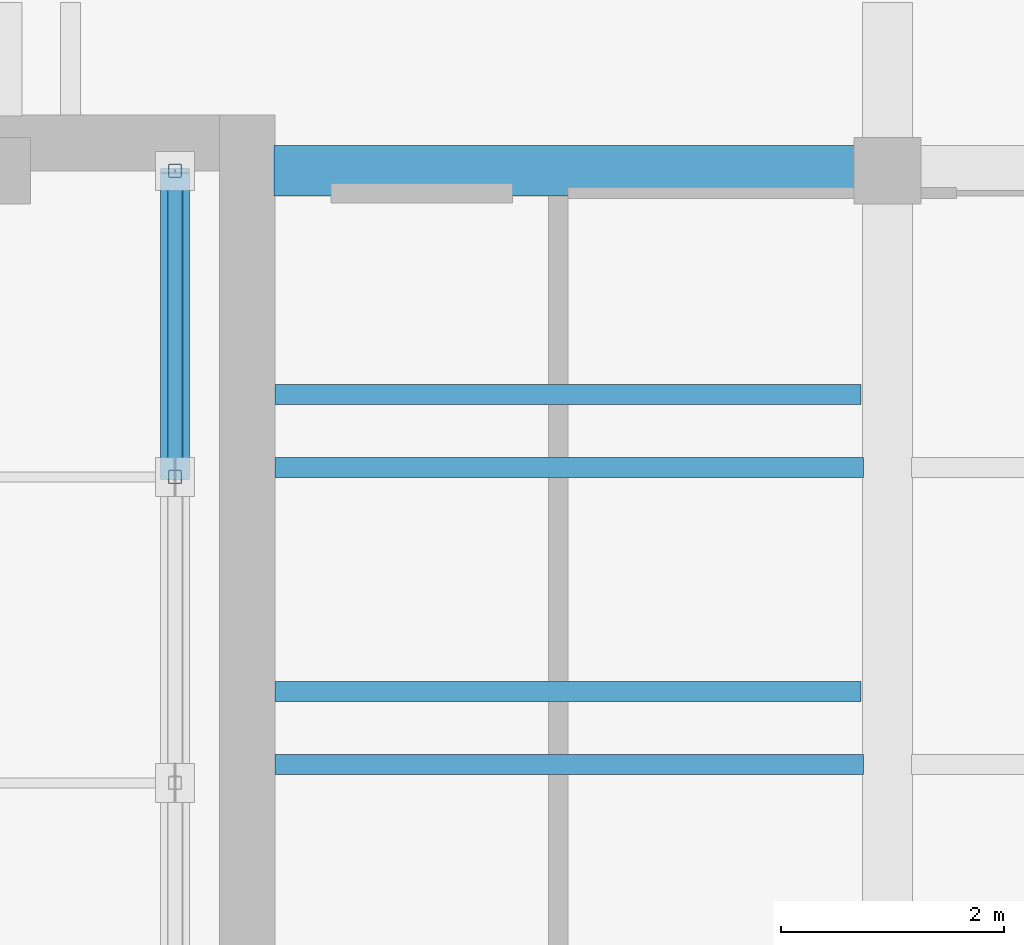
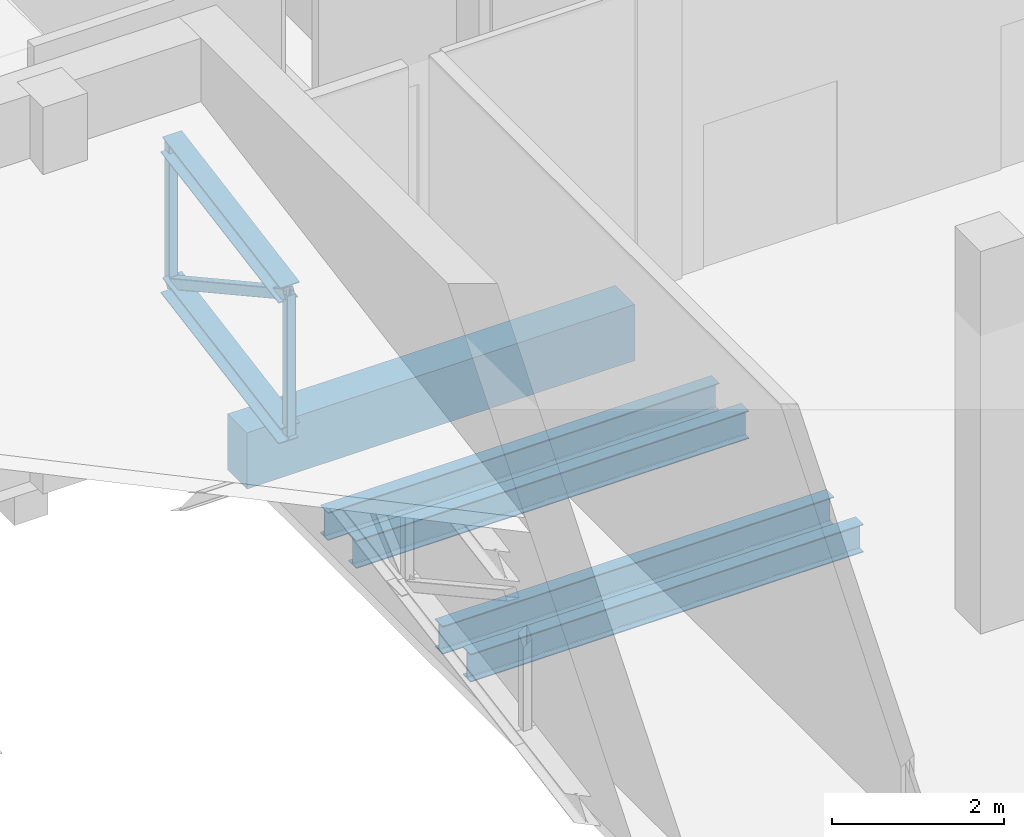
# One storey, part 22 of 132: 5 beams, 5 members.
"""IFC4 building model written with IfcOpenShell, lengths in metres."""

from ifc_helpers import new_model, si_unit, direction, frame, origin, origin_2d, place, context, subcontext, project, spatial, rectangle, hollow_rectangle, i_section, extrude, material, material_profile, profile_set, type_object, element, save


model = new_model("IFC4")

# Units and contexts
model_context = context("Model", 3, precision=1e-05, world=origin(), true_north=direction((0.0, 1.0)))
body_context = subcontext(model_context, "Body", "Model", "MODEL_VIEW")
ifc_project = project(units=[si_unit("LENGTHUNIT", "METRE"), si_unit("AREAUNIT", "SQUARE_METRE"), si_unit("VOLUMEUNIT", "CUBIC_METRE"), si_unit("PLANEANGLEUNIT", "RADIAN"), si_unit("MASSUNIT", "GRAM", prefix="KILO")], contexts=[model_context])

# Site, building, storey
site_placement = place(None, origin())
site = spatial("IfcSite", under=ifc_project, at=site_placement, CompositionType="ELEMENT")
building_placement = place(site_placement, origin())
building = spatial("IfcBuilding", under=site, at=building_placement, Name="Lunette Opera House", CompositionType="ELEMENT")
storey_placement = place(building_placement, frame((0.0, 0.0, 17.0)))
storey = spatial("IfcBuildingStorey", under=building, at=storey_placement, Name="L03", CompositionType="ELEMENT", Elevation=17.0)

# Members
ifc_material_1 = material(Name="Steel S355", Category="steel")
ifc_material_profile_1 = material_profile(ifc_material_1, i_section(OverallWidth=0.260009765625, OverallDepth=0.25, WebThickness=0.007568359375, FlangeThickness=0.012451171875, FilletRadius=0.02392578125, at=origin_2d()), Name="HEA 260")
ifc_profile_set_1 = profile_set([ifc_material_profile_1], Name="Steel S355")
member_type_1 = type_object("IfcMemberType", Name="CHORD HEA 260", PredefinedType="CHORD", material=ifc_profile_set_1)
for number, where, z_axis, x_axis, name in (
    (1, (33.60009765625, 85.25, 3.68896484375), (0.0, 0.984794998673, 0.173720495593), (-1.0, 0.0, 0.0), "mem-RW-L03-RW-TR05-TC8"),
    (2, (33.60009765625, 85.25, 1.68896484375), (0.0, 0.984794998673, 0.173720495593), (-1.0, 0.0, 0.0), "mem-RW-L03-RW-TR05-BC8"),
):
    element("IfcMember", number, at=place(storey_placement, frame(where, z_axis=z_axis, x_axis=x_axis)), inside=storey, type_object=member_type_1, Name=name, PredefinedType="CHORD", context=body_context, shape_type="SweptSolid", body=[
        extrude(i_section(OverallWidth=0.260009765625, OverallDepth=0.25, WebThickness=0.007568359375, FlangeThickness=0.012451171875, FilletRadius=0.02392578125, at=origin_2d()), origin(), (0.0, 0.0, 1.0), 2.79248046875),
    ])
ifc_material_2 = material(Name="Steel S355", Category="steel")
ifc_material_profile_2 = material_profile(ifc_material_2, hollow_rectangle(XDim=0.139892578125, YDim=0.139892578125, WallThickness=0.006103515625, InnerFilletRadius=0.006103515625, OuterFilletRadius=0.011962890625, at=origin_2d()), Name="RHS 140X140X6")
ifc_profile_set_2 = profile_set([ifc_material_profile_2], Name="Steel S355")
member_type_2 = type_object("IfcMemberType", Name="DIAGONAL RHS 140X140X6", PredefinedType="BRACE", material=ifc_profile_set_2)
member_placement = place(storey_placement, frame((33.60009765625, 85.25, 3.68896484375), z_axis=(0.0, 0.875893925299, -0.482503711513), x_axis=(-1.0, 0.0, 0.0)))
element("IfcMember", 3, at=member_placement, inside=storey, type_object=member_type_2, Name="mem-RW-L03-RW-TR05-TD8", PredefinedType="BRACE", context=body_context, shape_type="SweptSolid", body=[
    extrude(hollow_rectangle(XDim=0.139892578125, YDim=0.139892578125, WallThickness=0.006103515625, InnerFilletRadius=0.006103515625, OuterFilletRadius=0.011962890625, at=origin_2d()), origin(), (0.0, 0.0, 1.0), 3.1396484375),
])

# Beams
ifc_material_3 = material(Name="Concrete C35/45", Category="concrete")
ifc_material_profile_3 = material_profile(ifc_material_3, rectangle(XDim=0.449951171875, YDim=0.800048828125, at=origin_2d()), Name="RC BEAM 450X800")
ifc_profile_set_3 = profile_set([ifc_material_profile_3], Name="Concrete C35/45")
beam_type_1 = type_object("IfcBeamType", Name="RC BEAM 450X800", PredefinedType="BEAM", material=ifc_profile_set_3)
beam_placement = place(storey_placement, frame((34.489990234375, 88.0, -0.550048828125), z_axis=(1.0, 0.0, 0.0), x_axis=(0.0, 1.0, 0.0)))
element("IfcBeam", 4, at=beam_placement, inside=storey, type_object=beam_type_1, Name="beam-RW-L03-L03-GX33", PredefinedType="BEAM", context=body_context, shape_type="SweptSolid", body=[
    extrude(rectangle(XDim=0.449951171875, YDim=0.800048828125, at=origin_2d()), origin(), (0.0, 0.0, 1.0), 5.219970703125),
])
ifc_material_4 = material(Name="Steel S355", Category="steel")
ifc_material_profile_4 = material_profile(ifc_material_4, i_section(OverallWidth=0.179931640625, OverallDepth=0.39990234375, WebThickness=0.008544921875, FlangeThickness=0.013427734375, FilletRadius=0.02099609375, at=origin_2d()), Name="IPE 400")
ifc_profile_set_4 = profile_set([ifc_material_profile_4], Name="Steel S355")
beam_type_2 = type_object("IfcBeamType", Name="STEEL BEAM IPE 400", PredefinedType="BEAM", material=ifc_profile_set_4)
for number, where, z_axis, x_axis, name in (
    (5, (34.5, 82.6669921875, -0.35009765625), (1.0, 0.0, 0.0), (0.0, 1.0, 0.0), "beam-RW-L03-L03-SX321-01"),
    (6, (34.5, 85.3330078125, -0.35009765625), (1.0, 0.0, 0.0), (0.0, 1.0, 0.0), "beam-RW-L03-L03-SX322-01"),
):
    element("IfcBeam", number, at=place(storey_placement, frame(where, z_axis=z_axis, x_axis=x_axis)), inside=storey, type_object=beam_type_2, Name=name, PredefinedType="BEAM", context=body_context, shape_type="SweptSolid", body=[
        extrude(i_section(OverallWidth=0.179931640625, OverallDepth=0.39990234375, WebThickness=0.008544921875, FlangeThickness=0.013427734375, FilletRadius=0.02099609375, at=origin_2d()), origin(), (0.0, 0.0, 1.0), 5.284912109375),
    ])
for number, where, z_axis, x_axis, name in (
    (7, (34.5, 83.320068359375, -0.35009765625), (1.0, 0.0, 0.0), (0.0, 1.0, 0.0), "beam-RW-L03-L03-RJE10666"),
    (8, (34.5, 85.989990234375, -0.35009765625), (1.0, 0.0, 0.0), (0.0, 1.0, 0.0), "beam-RW-L03-L03-RJE10667"),
):
    element("IfcBeam", number, at=place(storey_placement, frame(where, z_axis=z_axis, x_axis=x_axis)), inside=storey, type_object=beam_type_2, Name=name, PredefinedType="BEAM", context=body_context, shape_type="SweptSolid", body=[
        extrude(i_section(OverallWidth=0.179931640625, OverallDepth=0.39990234375, WebThickness=0.008544921875, FlangeThickness=0.013427734375, FilletRadius=0.02099609375, at=origin_2d()), origin(), (0.0, 0.0, 1.0), 5.264892578125),
    ])

# Members
ifc_material_5 = material(Name="Steel S355", Category="steel")
ifc_material_profile_5 = material_profile(ifc_material_5, hollow_rectangle(XDim=0.1201171875, YDim=0.1201171875, WallThickness=0.0048828125, InnerFilletRadius=0.0048828125, OuterFilletRadius=0.010009765625, at=origin_2d()), Name="RHS 120X120X5")
ifc_profile_set_5 = profile_set([ifc_material_profile_5], Name="Steel S355")
member_type_3 = type_object("IfcMemberType", Name="VERTICAL RHS 120X120X5", PredefinedType="POST", material=ifc_profile_set_5)
for number, where, z_axis, x_axis, name in (
    (9, (33.60009765625, 85.25, 1.68896484375), (0.0, 0.0, 1.0), (1.0, 0.0, 0.0), "mem-RW-L03-RW-TR05-TV8"),
    (10, (33.60009765625, 88.0, 2.174072265625), (0.0, 0.0, 1.0), (1.0, 0.0, 0.0), "mem-RW-L03-RW-TR05-TV9"),
):
    element("IfcMember", number, at=place(storey_placement, frame(where, z_axis=z_axis, x_axis=x_axis)), inside=storey, type_object=member_type_3, Name=name, PredefinedType="POST", context=body_context, shape_type="SweptSolid", body=[
        extrude(hollow_rectangle(XDim=0.1201171875, YDim=0.1201171875, WallThickness=0.0048828125, InnerFilletRadius=0.0048828125, OuterFilletRadius=0.010009765625, at=origin_2d()), origin(), (0.0, 0.0, 1.0), 2.0),
    ])

save(model, "model.ifc")
